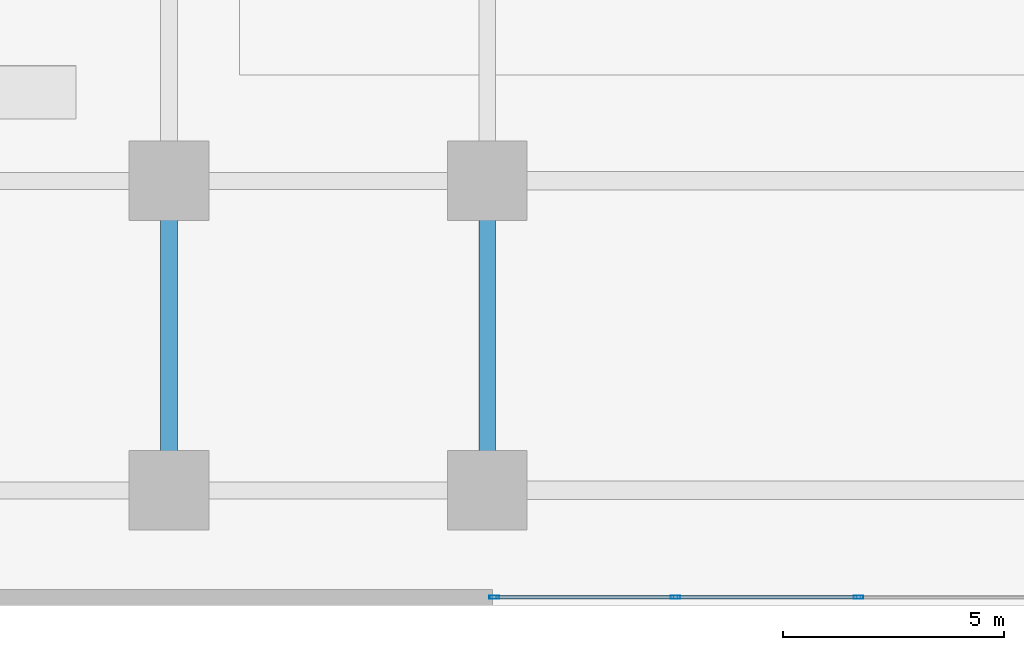
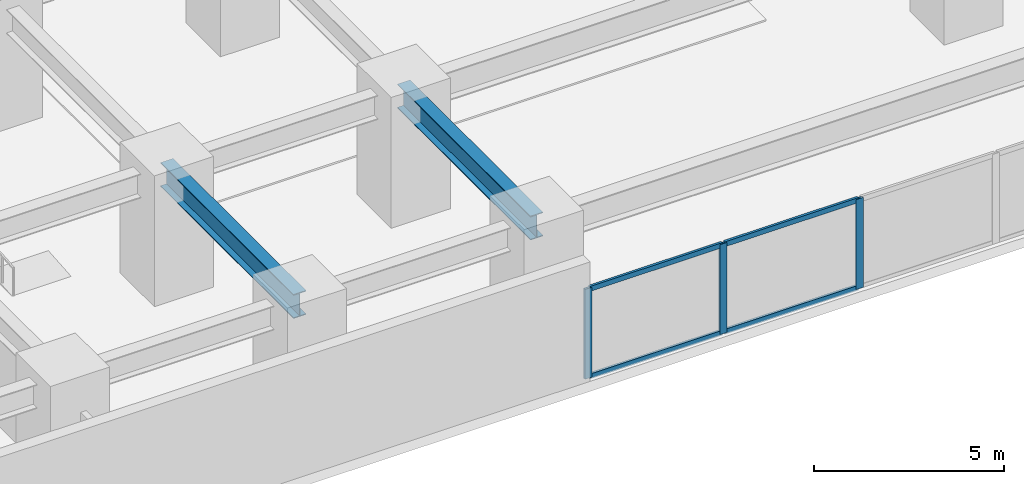
# One storey, part 2 of 22: 7 members, 2 beams, 1 element without a shape of its own.
"""IFC4 building model written with IfcOpenShell, lengths in metres."""

from ifc_helpers import new_model, si_unit, direction, frame, origin, origin_2d, place, context, subcontext, project, spatial, hollow_rectangle, i_section, extrude, material, layer, layer_set, material_profile, profile_set, type_object, element, aggregate, save


model = new_model("IFC4")

# Units and contexts
model_context = context("Model", 3, precision=1e-05, world=origin(), true_north=direction((0.0, 1.0)))
body_context = subcontext(model_context, "Body", "Model", "MODEL_VIEW")
ifc_project = project(units=[si_unit("LENGTHUNIT", "METRE"), si_unit("AREAUNIT", "SQUARE_METRE"), si_unit("VOLUMEUNIT", "CUBIC_METRE"), si_unit("PLANEANGLEUNIT", "RADIAN"), si_unit("MASSUNIT", "GRAM", prefix="KILO")], contexts=[model_context])

# Site, building, storey
site_placement = place(None, origin())
site = spatial("IfcSite", under=ifc_project, at=site_placement, CompositionType="ELEMENT")
building_placement = place(site_placement, origin())
building = spatial("IfcBuilding", under=site, at=building_placement, Name="Kiyonajd Concourse Tower", CompositionType="ELEMENT")
storey_placement = place(building_placement, frame((0.0, 0.0, 12.89990234375)))
storey = spatial("IfcBuildingStorey", under=building, at=storey_placement, Name="L04", CompositionType="ELEMENT", Elevation=12.89990234375)

# Beams
ifc_material_1 = material(Name="Steel ASTM A992 Grade 50", Category="steel")
ifc_material_profile_1 = material_profile(ifc_material_1, i_section(OverallWidth=0.381103515625, OverallDepth=0.77294921875, WebThickness=0.0166015625, FlangeThickness=0.027099609375, at=origin_2d()), Name="W760X257")
ifc_profile_set_1 = profile_set([ifc_material_profile_1], Name="Steel ASTM A992 Grade 50")
beam_type = type_object("IfcBeamType", Name="BM-POD-760", PredefinedType="BEAM", material=ifc_profile_set_1)
for number, where, z_axis, x_axis, name in (
    (1, (32.39990234375, 2.60009765625, 3.45361328125), (0.0, 1.0, 0.0), (-1.0, 0.0, 0.0), "L04 Podium North South Beam"),
    (2, (39.60009765625, 2.60009765625, 3.45361328125), (0.0, 1.0, 0.0), (-1.0, 0.0, 0.0), "L04 Podium North South Beam"),
):
    element("IfcBeam", number, at=place(storey_placement, frame(where, z_axis=z_axis, x_axis=x_axis)), inside=storey, type_object=beam_type, Name=name, PredefinedType="BEAM", context=body_context, shape_type="SweptSolid", body=[
        extrude(i_section(OverallWidth=0.381103515625, OverallDepth=0.77294921875, WebThickness=0.0166015625, FlangeThickness=0.027099609375, at=origin_2d()), origin(), (0.0, 0.0, 1.0), 7.0),
    ])

# Curtain wall, members
ifc_material_2 = material(Name="Thermally Broken Anodised Aluminium", Category="aluminium")
ifc_layer = layer(ifc_material_2, 0.179931640625)
ifc_layer_set = layer_set([ifc_layer], Name="Thermally Broken Anodised Aluminium")
curtain_wall_type = type_object("IfcCurtainWallType", Name="CW-SYS-01", PredefinedType="NOTDEFINED", material=ifc_layer_set)
curtain_wall_placement = place(storey_placement, origin())
curtain_wall = element("IfcCurtainWall", 3, at=curtain_wall_placement, inside=storey, type_object=curtain_wall_type, Name="L04 Unitised Curtain Wall CW1", PredefinedType="NOTDEFINED")
ifc_material_profile_2 = material_profile(ifc_material_2, hollow_rectangle(XDim=0.074951171875, YDim=0.219970703125, WallThickness=0.0048828125, at=origin_2d()), Name="MULL-75x220")
ifc_profile_set_2 = profile_set([ifc_material_profile_2], Name="Thermally Broken Anodised Aluminium")
member_type_1 = type_object("IfcMemberType", Name="MB-CW-MULL2", PredefinedType="MULLION", material=ifc_profile_set_2)
member_1_placement = place(storey_placement, frame((48.0, 0.179931640625, 0.0), z_axis=(0.0, 0.0, 1.0), x_axis=(0.0, -1.0, 0.0)))
member_1 = element("IfcMember", 4, at=member_1_placement, type_object=member_type_1, Name="CW1 mullion 3", PredefinedType="MULLION", context=body_context, shape_type="SweptSolid", body=[
    extrude(hollow_rectangle(XDim=0.074951171875, YDim=0.219970703125, WallThickness=0.0048828125, at=origin_2d()), origin(), (0.0, 0.0, 1.0), 2.89013671875),
])
member_2_placement = place(storey_placement, frame((43.860107421875, 0.179931640625, 0.0), z_axis=(0.0, 0.0, 1.0), x_axis=(0.0, -1.0, 0.0)))
member_2 = element("IfcMember", 5, at=member_2_placement, type_object=member_type_1, Name="CW1 mullion 4", PredefinedType="MULLION", context=body_context, shape_type="SweptSolid", body=[
    extrude(hollow_rectangle(XDim=0.074951171875, YDim=0.219970703125, WallThickness=0.0048828125, at=origin_2d()), origin(), (0.0, 0.0, 1.0), 2.89013671875),
])
member_3_placement = place(storey_placement, frame((39.757568359375, 0.179931640625, 0.0), z_axis=(0.0, 0.0, 1.0), x_axis=(0.0, -1.0, 0.0)))
member_3 = element("IfcMember", 6, at=member_3_placement, type_object=member_type_1, Name="CW1 mullion 5", PredefinedType="MULLION", context=body_context, shape_type="SweptSolid", body=[
    extrude(hollow_rectangle(XDim=0.074951171875, YDim=0.219970703125, WallThickness=0.0048828125, at=origin_2d()), origin(), (0.0, 0.0, 1.0), 2.89013671875),
])
ifc_material_profile_3 = material_profile(ifc_material_2, hollow_rectangle(XDim=0.074951171875, YDim=0.159912109375, WallThickness=0.0048828125, at=origin_2d()), Name="TRAN-75x160")
ifc_profile_set_3 = profile_set([ifc_material_profile_3], Name="Thermally Broken Anodised Aluminium")
member_type_2 = type_object("IfcMemberType", Name="MB-CW-TRAN2", PredefinedType="USERDEFINED", material=ifc_profile_set_3)
member_4_placement = place(storey_placement, frame((47.96240234375, 0.179931640625, 0.03759765625), z_axis=(-1.0, 0.0, 0.0), x_axis=(0.0, -1.0, 0.0)))
member_4 = element("IfcMember", 7, at=member_4_placement, type_object=member_type_2, Name="CW1 transom 3.1", ObjectType="TRANSOM", PredefinedType="USERDEFINED", context=body_context, shape_type="SweptSolid", body=[
    extrude(hollow_rectangle(XDim=0.074951171875, YDim=0.159912109375, WallThickness=0.0048828125, at=origin_2d()), origin(), (0.0, 0.0, 1.0), 4.06494140625),
])
member_5_placement = place(storey_placement, frame((47.96240234375, 0.179931640625, 2.8525390625), z_axis=(-1.0, 0.0, 0.0), x_axis=(0.0, -1.0, 0.0)))
member_5 = element("IfcMember", 8, at=member_5_placement, type_object=member_type_2, Name="CW1 transom 3.2", ObjectType="TRANSOM", PredefinedType="USERDEFINED", context=body_context, shape_type="SweptSolid", body=[
    extrude(hollow_rectangle(XDim=0.074951171875, YDim=0.159912109375, WallThickness=0.0048828125, at=origin_2d()), origin(), (0.0, 0.0, 1.0), 4.06494140625),
])
member_6_placement = place(storey_placement, frame((43.822509765625, 0.179931640625, 0.03759765625), z_axis=(-1.0, 0.0, 0.0), x_axis=(0.0, -1.0, 0.0)))
member_6 = element("IfcMember", 9, at=member_6_placement, type_object=member_type_2, Name="CW1 transom 4.1", ObjectType="TRANSOM", PredefinedType="USERDEFINED", context=body_context, shape_type="SweptSolid", body=[
    extrude(hollow_rectangle(XDim=0.074951171875, YDim=0.159912109375, WallThickness=0.0048828125, at=origin_2d()), origin(), (0.0, 0.0, 1.0), 4.027587890625),
])
member_7_placement = place(storey_placement, frame((43.822509765625, 0.179931640625, 2.8525390625), z_axis=(-1.0, 0.0, 0.0), x_axis=(0.0, -1.0, 0.0)))
member_7 = element("IfcMember", 10, at=member_7_placement, type_object=member_type_2, Name="CW1 transom 4.2", ObjectType="TRANSOM", PredefinedType="USERDEFINED", context=body_context, shape_type="SweptSolid", body=[
    extrude(hollow_rectangle(XDim=0.074951171875, YDim=0.159912109375, WallThickness=0.0048828125, at=origin_2d()), origin(), (0.0, 0.0, 1.0), 4.027587890625),
])
aggregate(curtain_wall, [member_1, member_2, member_3, member_4, member_5, member_6, member_7])

save(model, "model.ifc")
